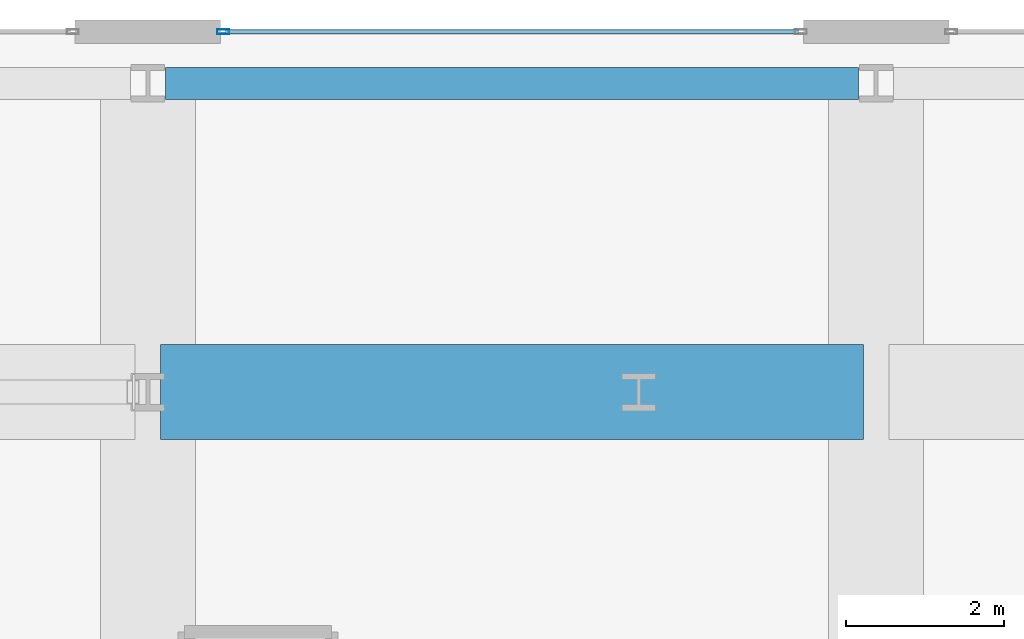
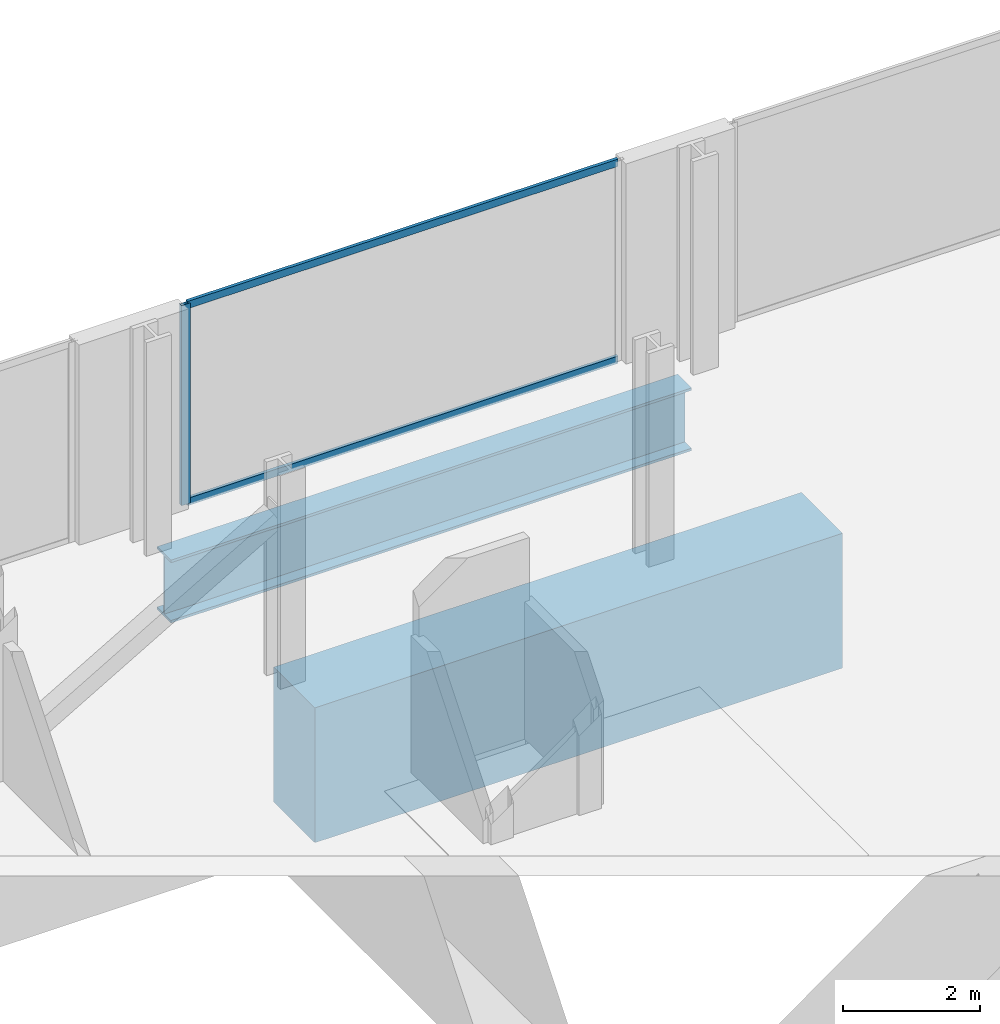
# One storey, part 18 of 27: 3 members, 2 beams, 1 element without a shape of its own.
"""IFC4 building model written with IfcOpenShell, lengths in metres."""

from ifc_helpers import new_model, si_unit, direction, frame, origin, origin_2d, place, context, subcontext, project, spatial, rectangle, hollow_rectangle, i_section, extrude, material, layer, layer_set, material_profile, profile_set, type_object, element, aggregate, save


model = new_model("IFC4")

# Units and contexts
model_context = context("Model", 3, precision=1e-05, world=origin(), true_north=direction((0.0, 1.0)))
body_context = subcontext(model_context, "Body", "Model", "MODEL_VIEW")
ifc_project = project(units=[si_unit("LENGTHUNIT", "METRE"), si_unit("AREAUNIT", "SQUARE_METRE"), si_unit("VOLUMEUNIT", "CUBIC_METRE"), si_unit("PLANEANGLEUNIT", "RADIAN"), si_unit("MASSUNIT", "GRAM", prefix="KILO")], contexts=[model_context])

# Site, building, storey
site_placement = place(None, origin())
site = spatial("IfcSite", under=ifc_project, at=site_placement, CompositionType="ELEMENT")
building_placement = place(site_placement, origin())
building = spatial("IfcBuilding", under=site, at=building_placement, Name="Zuhayl Quay Hotel", CompositionType="ELEMENT")
storey_placement = place(building_placement, frame((0.0, 0.0, 297.25)))
storey = spatial("IfcBuildingStorey", under=building, at=storey_placement, Name="Crown 1", CompositionType="ELEMENT", Elevation=297.25)

# Beams
ifc_material_1 = material(Name="Concrete C60/75", Category="concrete")
ifc_material_profile_1 = material_profile(ifc_material_1, rectangle(XDim=1.199951171875, YDim=2.39990234375, at=origin_2d()), Name="RC1200X2400")
ifc_profile_set_1 = profile_set([ifc_material_profile_1], Name="Concrete C60/75")
beam_type_1 = type_object("IfcBeamType", Name="BM_TG0_RC2400", PredefinedType="BEAM", material=ifc_profile_set_1)
beam_1_placement = place(storey_placement, frame((-4.43994140625, 34.449951171875, -1.43994140625), z_axis=(1.0, 0.0, 0.0), x_axis=(0.0, 1.0, 0.0)))
element("IfcBeam", 1, at=beam_1_placement, inside=storey, type_object=beam_type_1, Name="Crown 1 Floor Beam CR_EW_1_2_2", PredefinedType="BEAM", context=body_context, shape_type="SweptSolid", body=[
    extrude(rectangle(XDim=1.199951171875, YDim=2.39990234375, at=origin_2d()), origin(), (0.0, 0.0, 1.0), 8.8798828125),
])
ifc_material_2 = material(Name="Steel ASTM A913 Grade 65", Category="steel")
ifc_material_profile_2 = material_profile(ifc_material_2, i_section(OverallWidth=0.404052734375, OverallDepth=1.117919921875, WebThickness=0.026123046875, FlangeThickness=0.044921875, at=origin_2d()), Name="W44X335")
ifc_profile_set_2 = profile_set([ifc_material_profile_2], Name="Steel ASTM A913 Grade 65")
beam_type_2 = type_object("IfcBeamType", Name="BM_TG1_W44X335", PredefinedType="BEAM", material=ifc_profile_set_2)
beam_2_placement = place(storey_placement, frame((-4.3798828125, 38.35009765625, -0.799072265625), z_axis=(1.0, 0.0, 0.0), x_axis=(0.0, 1.0, 0.0)))
element("IfcBeam", 2, at=beam_2_placement, inside=storey, type_object=beam_type_2, Name="Crown 1 Floor Beam CR_N_C_1", PredefinedType="BEAM", context=body_context, shape_type="SweptSolid", body=[
    extrude(i_section(OverallWidth=0.404052734375, OverallDepth=1.117919921875, WebThickness=0.026123046875, FlangeThickness=0.044921875, at=origin_2d()), origin(), (0.0, 0.0, 1.0), 8.759765625),
])

# Curtain wall, members
ifc_material_3 = material(Name="Anodised Aluminium 6063-T6", Category="aluminium")
ifc_layer = layer(ifc_material_3, 0.159912109375, Name="Anodised Aluminium 6063-T6", Category="aluminium")
ifc_layer_set = layer_set([ifc_layer], Name="Anodised Aluminium 6063-T6")
curtain_wall_type = type_object("IfcCurtainWallType", Name="CW_SYS_CRN", PredefinedType="USERDEFINED", material=ifc_layer_set)
curtain_wall_placement = place(storey_placement, origin())
curtain_wall = element("IfcCurtainWall", 3, at=curtain_wall_placement, inside=storey, type_object=curtain_wall_type, Name="Crown 1 Curtain Wall ENV_CR1_E3_CW4", ObjectType="UNITISED CURTAIN WALL", PredefinedType="USERDEFINED")
ifc_material_4 = material(Name="Black-anodised aluminium 6063-T6", Category="aluminium")
ifc_material_profile_3 = material_profile(ifc_material_4, hollow_rectangle(XDim=0.06005859375, YDim=0.14990234375, WallThickness=0.00341796875, at=origin_2d()), Name="ALU150X60")
ifc_profile_set_3 = profile_set([ifc_material_profile_3], Name="Black-anodised aluminium 6063-T6")
member_type_1 = type_object("IfcMemberType", Name="MB_CW_MUL_150", PredefinedType="MULLION", material=ifc_profile_set_3)
member_1_placement = place(storey_placement, frame((-3.64990234375, 39.0, 0.0), z_axis=(0.0, 0.0, 1.0), x_axis=(0.0, 1.0, 0.0)))
member_1 = element("IfcMember", 4, at=member_1_placement, type_object=member_type_1, Name="CW-CRN mullion 1", PredefinedType="MULLION", context=body_context, shape_type="SweptSolid", body=[
    extrude(hollow_rectangle(XDim=0.06005859375, YDim=0.14990234375, WallThickness=0.00341796875, at=origin_2d()), origin(), (0.0, 0.0, 1.0), 3.56005859375),
])
ifc_material_profile_4 = material_profile(ifc_material_4, hollow_rectangle(XDim=0.054931640625, YDim=0.1298828125, WallThickness=0.0029296875, at=origin_2d()), Name="ALU130X55")
ifc_profile_set_4 = profile_set([ifc_material_profile_4], Name="Black-anodised aluminium 6063-T6")
member_type_2 = type_object("IfcMemberType", Name="MB_CW_TRN_130", PredefinedType="USERDEFINED", material=ifc_profile_set_4)
member_2_placement = place(storey_placement, frame((-3.6201171875, 39.0, 0.027587890625), z_axis=(1.0, 0.0, 0.0), x_axis=(0.0, 1.0, 0.0)))
member_2 = element("IfcMember", 5, at=member_2_placement, type_object=member_type_2, Name="CW-CRN transom 1.1", ObjectType="TRANSOM", PredefinedType="USERDEFINED", context=body_context, shape_type="SweptSolid", body=[
    extrude(hollow_rectangle(XDim=0.054931640625, YDim=0.1298828125, WallThickness=0.0029296875, at=origin_2d()), origin(), (0.0, 0.0, 1.0), 7.240234375),
])
member_3_placement = place(storey_placement, frame((-3.6201171875, 39.0, 3.532470703125), z_axis=(1.0, 0.0, 0.0), x_axis=(0.0, 1.0, 0.0)))
member_3 = element("IfcMember", 6, at=member_3_placement, type_object=member_type_2, Name="CW-CRN transom 1.2", ObjectType="TRANSOM", PredefinedType="USERDEFINED", context=body_context, shape_type="SweptSolid", body=[
    extrude(hollow_rectangle(XDim=0.054931640625, YDim=0.1298828125, WallThickness=0.0029296875, at=origin_2d()), origin(), (0.0, 0.0, 1.0), 7.240234375),
])
aggregate(curtain_wall, [member_1, member_2, member_3])

save(model, "model.ifc")
